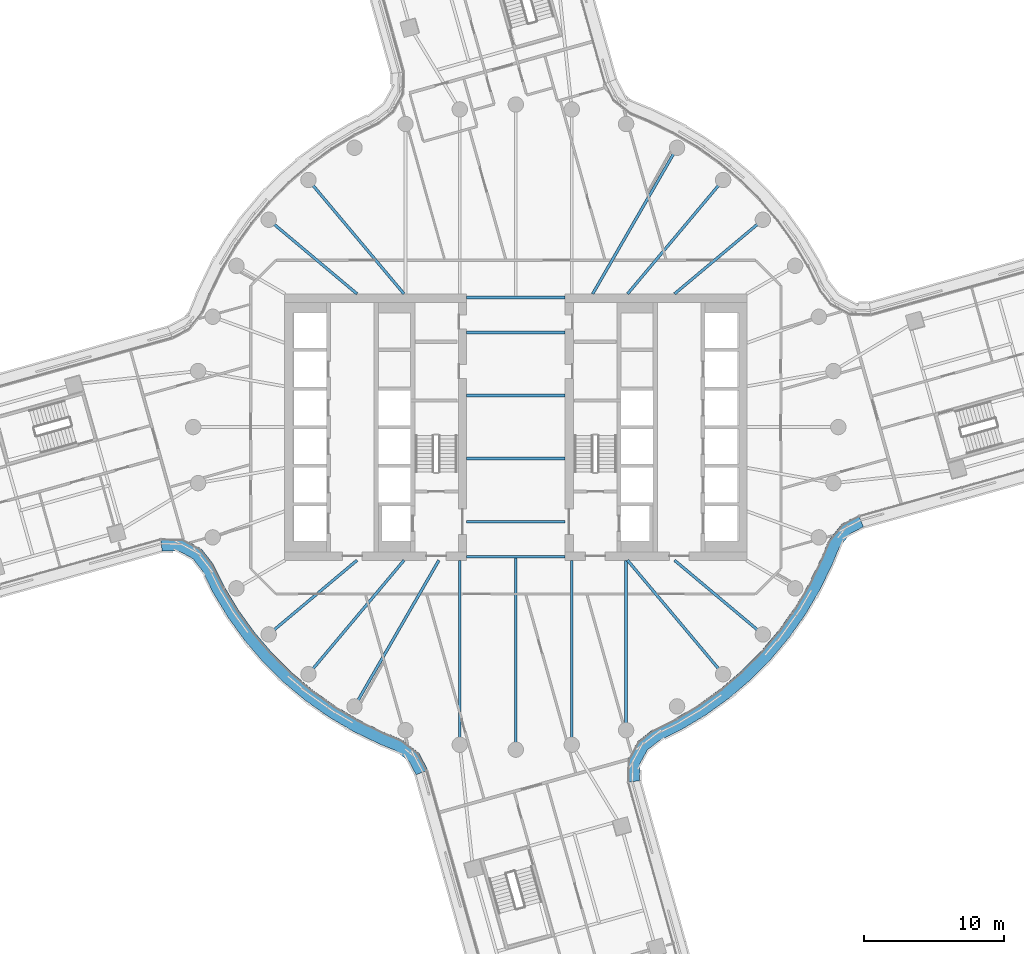
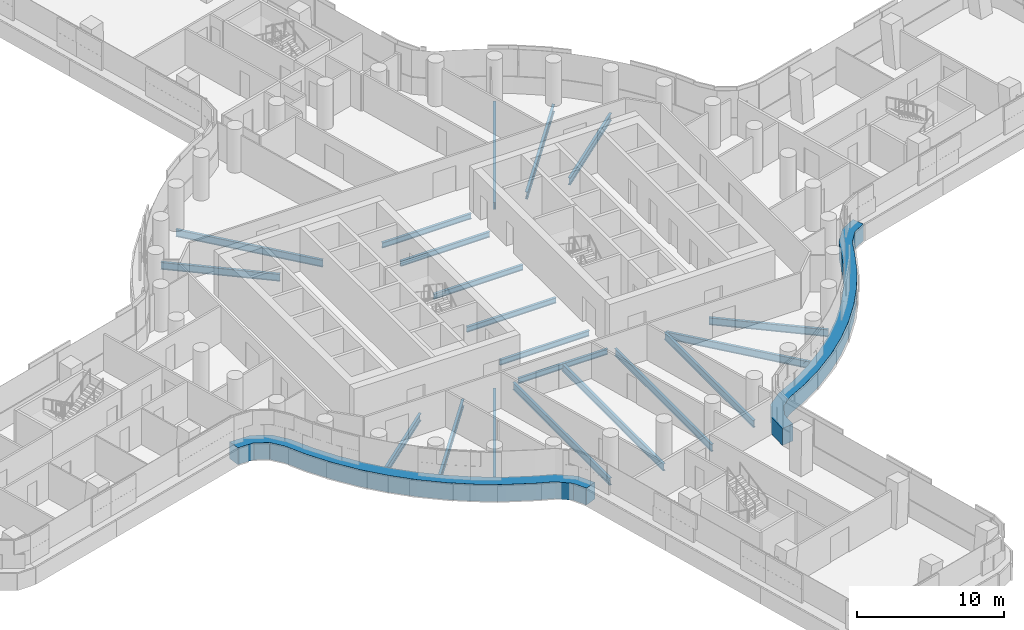
# One storey, part 8 of 30: 20 beams, 2 members, 2 elements without a shape of their own.
"""IFC4 building model written with IfcOpenShell, lengths in metres."""

import ifcopenshell
import ifcopenshell.guid

model = None  # the IFC model being written
_history = None  # IfcOwnerHistory: only IFC2X3 demands one
_inside = {}  # id of a spatial element -> (the spatial element, [elements in it])
_under = {}  # id of a project, library or spatial element -> (it, [spatial elements below it])
_declared = {}  # id of a project -> (the project, [libraries it declares])
_typed = {}  # id of a type object -> (the type object, [elements of that type])
_made_of = {}  # id of a material, layer set ... -> (it, [elements and type objects made of it])


def new_model(schema):
    """Start an empty IFC model of exactly this schema.

    Asked for "IFC4X3", IfcOpenShell would pick the latest addendum, in which some entities
    have other attributes; the version numbers below select the first issue.
    IFC2X3 requires an IfcOwnerHistory on every rooted entity: one is made here for all.
    """
    global model, _history
    if schema == "IFC4X3":
        model = ifcopenshell.file(schema_version=(4, 3, 0, 0))
    else:
        model = ifcopenshell.file(schema=schema)
    _inside.clear()
    _under.clear()
    _declared.clear()
    _typed.clear()
    _made_of.clear()
    _history = None
    if model.schema == "IFC2X3":
        org = make("IfcOrganization", Name="unknown")
        user = make(
            "IfcPersonAndOrganization",
            ThePerson=make("IfcPerson", FamilyName="unknown"),
            TheOrganization=org,
        )
        app = make(
            "IfcApplication",
            ApplicationDeveloper=org,
            Version="unknown",
            ApplicationFullName="unknown",
            ApplicationIdentifier="unknown",
        )
        _history = make(
            "IfcOwnerHistory",
            OwningUser=user,
            OwningApplication=app,
            ChangeAction="ADDED",
            CreationDate=0,
        )
    return model


def make(cls, **values):
    """One entity of the class cls with the attributes given. An attribute that is None is left unset."""
    return model.create_entity(
        cls, **{name: value for name, value in values.items() if value is not None}
    )


def rooted(cls, **values):
    """An entity with a GlobalId (a new one), such as an element, a storey or a relation."""
    return make(cls, GlobalId=ifcopenshell.guid.new(), OwnerHistory=_history, **values)


def si_unit(unit_type, name, prefix=None):
    """IfcSIUnit, for example si_unit("LENGTHUNIT", "METRE", prefix="MILLI")."""
    return make("IfcSIUnit", UnitType=unit_type, Prefix=prefix, Name=name)


def assignment(units):
    """IfcUnitAssignment: the units of a project."""
    return None if units is None else make("IfcUnitAssignment", Units=units)


def point(xyz):
    """IfcCartesianPoint."""
    return None if xyz is None else make("IfcCartesianPoint", Coordinates=xyz)


def direction(xyz):
    """IfcDirection."""
    return None if xyz is None else make("IfcDirection", DirectionRatios=xyz)


def frame(location, z_axis=None, x_axis=None):
    """IfcAxis2Placement3D, a coordinate frame: its origin and axes. An axis left out is left unset."""
    return make(
        "IfcAxis2Placement3D",
        Location=point(location),
        Axis=direction(z_axis),
        RefDirection=direction(x_axis),
    )


def frame_2d(location, x_axis=None):
    """IfcAxis2Placement2D, a coordinate frame in the plane: its origin and x axis."""
    return make(
        "IfcAxis2Placement2D", Location=point(location), RefDirection=direction(x_axis)
    )


def origin():
    """The frame at (0, 0, 0) with its axes left unset."""
    return frame((0.0, 0.0, 0.0))


def origin_2d():
    """The frame at (0, 0) in the plane with its x axis left unset."""
    return frame_2d((0.0, 0.0))


def place(relative_to, where):
    """IfcLocalPlacement: puts the frame where relative to a parent placement (None: the world)."""
    return make(
        "IfcLocalPlacement", PlacementRelTo=relative_to, RelativePlacement=where
    )


def context(
    kind, dimensions, precision=None, world=None, true_north=None, identifier=None
):
    """IfcGeometricRepresentationContext, for example the 3D "Model" context."""
    return make(
        "IfcGeometricRepresentationContext",
        ContextIdentifier=identifier,
        ContextType=kind,
        CoordinateSpaceDimension=dimensions,
        Precision=precision,
        WorldCoordinateSystem=world,
        TrueNorth=true_north,
    )


def subcontext(parent, identifier, kind, view, scale=None):
    """IfcGeometricRepresentationSubContext, for example "Body" below "Model"."""
    return make(
        "IfcGeometricRepresentationSubContext",
        ContextIdentifier=identifier,
        ContextType=kind,
        ParentContext=parent,
        TargetScale=scale,
        TargetView=view,
    )


def project(units=None, contexts=None):
    """IfcProject with its units and contexts."""
    return rooted(
        "IfcProject",
        Name="project",
        RepresentationContexts=contexts,
        UnitsInContext=assignment(units),
    )


def spatial(cls, under=None, at=None, **own):
    """A site, building, storey or space (cls), placed at a placement, below another one or the project."""
    s = rooted(cls, ObjectPlacement=at, **own)
    if under is not None:
        _under.setdefault(under.id(), (under, []))[1].append(s)
    return s


def polyline(points):
    """IfcPolyline through the points."""
    return make("IfcPolyline", Points=[point(p) for p in points])


def profile(cls, at=None, kind="AREA", **sizes):
    """A parametric profile (cls). Its sizes go by their IFC names, for example OverallWidth=200.0."""
    return make(cls, ProfileType=kind, Position=at, **sizes)


def i_section(**sizes):
    """IfcIShapeProfileDef."""
    return profile("IfcIShapeProfileDef", **sizes)


def outline(outer, holes=None, kind="AREA"):
    """IfcArbitraryClosedProfileDef: a profile drawn as a closed curve; with holes, ...WithVoids."""
    if holes is None:
        return make("IfcArbitraryClosedProfileDef", ProfileType=kind, OuterCurve=outer)
    return make(
        "IfcArbitraryProfileDefWithVoids",
        ProfileType=kind,
        OuterCurve=outer,
        InnerCurves=holes,
    )


def extrude(swept, where, along, depth):
    """IfcExtrudedAreaSolid: the profile swept, set in the frame where, extruded along a direction by depth."""
    return make(
        "IfcExtrudedAreaSolid",
        SweptArea=swept,
        Position=where,
        ExtrudedDirection=direction(along),
        Depth=depth,
    )


def shape(context_of_items, identifier, shape_type, items):
    """IfcShapeRepresentation: the items that make up one representation, for example the "Body"."""
    return make(
        "IfcShapeRepresentation",
        ContextOfItems=context_of_items,
        RepresentationIdentifier=identifier,
        RepresentationType=shape_type,
        Items=items,
    )


def material(Name=None, Category=None):
    """IfcMaterial."""
    return make("IfcMaterial", Name=Name, Category=Category)


def layer(
    of_material, thickness, ventilated=None, Name=None, Category=None, Priority=None
):
    """IfcMaterialLayer: one layer of a wall or slab, of a material (None: an air gap)."""
    return make(
        "IfcMaterialLayer",
        Material=of_material,
        LayerThickness=thickness,
        IsVentilated=ventilated,
        Name=Name,
        Category=Category,
        Priority=Priority,
    )


def layer_set(layers, Name=None):
    """IfcMaterialLayerSet."""
    return make("IfcMaterialLayerSet", MaterialLayers=layers, LayerSetName=Name)


def material_profile(
    of_material, cross_section, Name=None, Category=None, Priority=None
):
    """IfcMaterialProfile: a cross section and its material."""
    return make(
        "IfcMaterialProfile",
        Name=Name,
        Material=of_material,
        Profile=cross_section,
        Priority=Priority,
        Category=Category,
    )


def profile_set(profiles, Name=None, composite=None):
    """IfcMaterialProfileSet."""
    return make(
        "IfcMaterialProfileSet",
        Name=Name,
        MaterialProfiles=profiles,
        CompositeProfile=composite,
    )


def made_of(thing, what):
    """Note that an element or type object is made of a material, layer set ...; save() writes the relation."""
    if what is not None:
        _made_of.setdefault(what.id(), (what, []))[1].append(thing)
    return thing


def type_object(cls, material=None, **own):
    """A type object (cls), such as IfcWallType, which elements share."""
    return made_of(rooted(cls, **own), material)


def element(
    cls,
    number,
    at=None,
    inside=None,
    cuts=None,
    type_object=None,
    material=None,
    context=None,
    identifier="Body",
    shape_type=None,
    held_by="IfcProductDefinitionShape",
    body=None,
    shapes=None,
    **own,
):
    """One element of the class cls, such as IfcWall. Its Tag is "e" and its number.

    at: its placement. inside: the storey or other place that contains it. cuts: it is an
    opening in that element (IfcRelVoidsElement). A single representation is given by context,
    identifier, shape_type and body (its items); several are given by shapes. held_by: the class
    of the entity that holds the representations. save() writes the other relations.
    """
    e = rooted(cls, Tag="e%d" % number, ObjectPlacement=at, **own)
    if body is not None:
        shapes = [shape(context, identifier, shape_type, body)]
    if shapes is not None:
        e.Representation = make(held_by, Representations=shapes)
    if inside is not None:
        _inside.setdefault(inside.id(), (inside, []))[1].append(e)
    if cuts is not None:
        rooted(
            "IfcRelVoidsElement", RelatingBuildingElement=cuts, RelatedOpeningElement=e
        )
    if type_object is not None:
        _typed.setdefault(type_object.id(), (type_object, []))[1].append(e)
    return made_of(e, material)


def aggregate(whole, parts):
    """IfcRelAggregates: a whole, such as a stair, and the parts it consists of."""
    return rooted("IfcRelAggregates", RelatingObject=whole, RelatedObjects=parts)


def save(model, path):
    """Write the relations noted so far, then the file.

    IfcRelAggregates (storeys below a building ...), IfcRelContainedInSpatialStructure (elements
    in a storey), IfcRelDefinesByType, IfcRelAssociatesMaterial and IfcRelDeclares: one each for
    every whole, place, type object, material and project.
    """
    for whole, parts in _under.values():
        aggregate(whole, parts)
    for where, things in _inside.values():
        rooted(
            "IfcRelContainedInSpatialStructure",
            RelatedElements=things,
            RelatingStructure=where,
        )
    for kind, things in _typed.values():
        rooted("IfcRelDefinesByType", RelatedObjects=things, RelatingType=kind)
    for what, things in _made_of.values():
        rooted("IfcRelAssociatesMaterial", RelatedObjects=things, RelatingMaterial=what)
    for by, libraries in _declared.values():
        rooted("IfcRelDeclares", RelatingContext=by, RelatedDefinitions=libraries)
    model.write(path)


model = new_model("IFC4")

# Units and contexts
model_context = context("Model", 3, precision=1e-05, world=origin(), true_north=direction((0.0, 1.0)))
body_context = subcontext(model_context, "Body", "Model", "MODEL_VIEW")
ifc_project = project(units=[si_unit("LENGTHUNIT", "METRE"), si_unit("AREAUNIT", "SQUARE_METRE"), si_unit("VOLUMEUNIT", "CUBIC_METRE"), si_unit("PLANEANGLEUNIT", "RADIAN"), si_unit("MASSUNIT", "GRAM", prefix="KILO")], contexts=[model_context])

# Site, building, storey
site_placement = place(None, origin())
site = spatial("IfcSite", under=ifc_project, at=site_placement, CompositionType="ELEMENT")
building_placement = place(site_placement, origin())
building = spatial("IfcBuilding", under=site, at=building_placement, Name="Tamarind Cross Interchange Tower", CompositionType="ELEMENT")
storey_placement = place(building_placement, frame((0.0, 0.0, 91.0)))
storey = spatial("IfcBuildingStorey", under=building, at=storey_placement, Name="L21", CompositionType="ELEMENT", Elevation=91.0)

# Beams
ifc_material_1 = material(Name="Steel Q355B", Category="steel")
ifc_material_profile_1 = material_profile(ifc_material_1, i_section(OverallWidth=0.198974609375, OverallDepth=0.446044921875, WebThickness=0.008056640625, FlangeThickness=0.011962890625, FilletRadius=0.012939453125, at=origin_2d()), Name="HN 446x199x8x12")
ifc_profile_set_1 = profile_set([ifc_material_profile_1], Name="Steel Q355B")
beam_type_1 = type_object("IfcBeamType", Name="Composite beam HN 446x199x8x12 Q355B", PredefinedType="BEAM", material=ifc_profile_set_1)
for number, where, z_axis, x_axis, name in (
    (1, (-3.5, -2.25, -0.363037109375), (1.0, 0.0, 0.0), (0.0, 1.0, 0.0), "Beam G-2.25"),
    (2, (-3.5, -6.75, -0.363037109375), (1.0, 0.0, 0.0), (0.0, 1.0, 0.0), "Beam G-6.75"),
    (3, (-3.5, -9.25, -0.363037109375), (1.0, 0.0, 0.0), (0.0, 1.0, 0.0), "Beam G-9.25"),
    (4, (-3.5, 2.25, -0.363037109375), (1.0, 0.0, 0.0), (0.0, 1.0, 0.0), "Beam G2.25"),
    (5, (-3.5, 6.75, -0.363037109375), (1.0, 0.0, 0.0), (0.0, 1.0, 0.0), "Beam G6.75"),
    (6, (-3.5, 9.25, -0.363037109375), (1.0, 0.0, 0.0), (0.0, 1.0, 0.0), "Beam G9.25"),
):
    element("IfcBeam", number, at=place(storey_placement, frame(where, z_axis=z_axis, x_axis=x_axis)), inside=storey, type_object=beam_type_1, Name=name, PredefinedType="BEAM", context=body_context, shape_type="SweptSolid", body=[
        extrude(i_section(OverallWidth=0.198974609375, OverallDepth=0.446044921875, WebThickness=0.008056640625, FlangeThickness=0.011962890625, FilletRadius=0.012939453125, at=origin_2d()), origin(), (0.0, 0.0, 1.0), 7.0),
    ])
ifc_material_profile_2 = material_profile(ifc_material_1, i_section(OverallWidth=0.198974609375, OverallDepth=0.595947265625, WebThickness=0.010009765625, FlangeThickness=0.014892578125, FilletRadius=0.012939453125, at=origin_2d()), Name="HN 596x199x10x15")
ifc_profile_set_2 = profile_set([ifc_material_profile_2], Name="Steel Q355B")
beam_type_2 = type_object("IfcBeamType", Name="Composite beam HN 596x199x10x15 Q355B", PredefinedType="BEAM", material=ifc_profile_set_2)
beam_1_placement = place(storey_placement, frame((17.619140625, 14.7841796875, -0.43798828125), z_axis=(-0.766040580814, -0.642792212574, 0.0), x_axis=(0.642792212574, -0.766040580814, 0.0)))
element("IfcBeam", 7, at=beam_1_placement, inside=storey, type_object=beam_type_2, Name="Beam HH04", PredefinedType="BEAM", context=body_context, shape_type="SweptSolid", body=[
    extrude(i_section(OverallWidth=0.198974609375, OverallDepth=0.595947265625, WebThickness=0.010009765625, FlangeThickness=0.014892578125, FilletRadius=0.012939453125, at=origin_2d()), origin(), (0.0, 0.0, 1.0), 8.220703125),
])
beam_2_placement = place(storey_placement, frame((14.7841796875, 17.619140625, -0.43798828125), z_axis=(-0.642786293979, -0.766045547127, 0.0), x_axis=(0.766045547127, -0.642786293979, 0.0)))
element("IfcBeam", 8, at=beam_2_placement, inside=storey, type_object=beam_type_2, Name="Beam HH05", PredefinedType="BEAM", context=body_context, shape_type="SweptSolid", body=[
    extrude(i_section(OverallWidth=0.198974609375, OverallDepth=0.595947265625, WebThickness=0.010009765625, FlangeThickness=0.014892578125, FilletRadius=0.012939453125, at=origin_2d()), origin(), (0.0, 0.0, 1.0), 10.598876953125),
])
beam_3_placement = place(storey_placement, frame((11.5, 19.918701171875, -0.43798828125), z_axis=(-0.499993565836, -0.866029118519, 0.0), x_axis=(0.866029118519, -0.499993565836, 0.0)))
element("IfcBeam", 9, at=beam_3_placement, inside=storey, type_object=beam_type_2, Name="Beam HH06", PredefinedType="BEAM", context=body_context, shape_type="SweptSolid", body=[
    extrude(i_section(OverallWidth=0.198974609375, OverallDepth=0.595947265625, WebThickness=0.010009765625, FlangeThickness=0.014892578125, FilletRadius=0.012939453125, at=origin_2d()), origin(), (0.0, 0.0, 1.0), 12.030517578125),
])
beam_4_placement = place(storey_placement, frame((-14.7841796875, 17.619140625, -0.43798828125), z_axis=(0.642786293979, -0.766045547127, 0.0), x_axis=(0.766045547127, 0.642786293979, 0.0)))
element("IfcBeam", 10, at=beam_4_placement, inside=storey, type_object=beam_type_2, Name="Beam HH13", PredefinedType="BEAM", context=body_context, shape_type="SweptSolid", body=[
    extrude(i_section(OverallWidth=0.198974609375, OverallDepth=0.595947265625, WebThickness=0.010009765625, FlangeThickness=0.014892578125, FilletRadius=0.012939453125, at=origin_2d()), origin(), (0.0, 0.0, 1.0), 10.598876953125),
])
for number, where, z_axis, x_axis, name in (
    (11, (-17.619140625, 14.7841796875, -0.43798828125), (0.766040580814, -0.642792212574, 0.0), (0.642792212574, 0.766040580814, 0.0), "Beam HH14"),
    (12, (-17.619140625, -14.7841796875, -0.43798828125), (0.766040580814, 0.642792212574, 0.0), (-0.642792212574, 0.766040580814, 0.0), "Beam HH22"),
):
    element("IfcBeam", number, at=place(storey_placement, frame(where, z_axis=z_axis, x_axis=x_axis)), inside=storey, type_object=beam_type_2, Name=name, PredefinedType="BEAM", context=body_context, shape_type="SweptSolid", body=[
        extrude(i_section(OverallWidth=0.198974609375, OverallDepth=0.595947265625, WebThickness=0.010009765625, FlangeThickness=0.014892578125, FilletRadius=0.012939453125, at=origin_2d()), origin(), (0.0, 0.0, 1.0), 8.220703125),
    ])
beam_5_placement = place(storey_placement, frame((-14.7841796875, -17.619140625, -0.43798828125), z_axis=(0.642786293979, 0.766045547127, 0.0), x_axis=(-0.766045547127, 0.642786293979, 0.0)))
element("IfcBeam", 13, at=beam_5_placement, inside=storey, type_object=beam_type_2, Name="Beam HH23", PredefinedType="BEAM", context=body_context, shape_type="SweptSolid", body=[
    extrude(i_section(OverallWidth=0.198974609375, OverallDepth=0.595947265625, WebThickness=0.010009765625, FlangeThickness=0.014892578125, FilletRadius=0.012939453125, at=origin_2d()), origin(), (0.0, 0.0, 1.0), 10.598876953125),
])
beam_6_placement = place(storey_placement, frame((-11.5, -19.918701171875, -0.43798828125), z_axis=(0.499993565836, 0.866029118519, 0.0), x_axis=(-0.866029118519, 0.499993565836, 0.0)))
element("IfcBeam", 14, at=beam_6_placement, inside=storey, type_object=beam_type_2, Name="Beam HH24", PredefinedType="BEAM", context=body_context, shape_type="SweptSolid", body=[
    extrude(i_section(OverallWidth=0.198974609375, OverallDepth=0.595947265625, WebThickness=0.010009765625, FlangeThickness=0.014892578125, FilletRadius=0.012939453125, at=origin_2d()), origin(), (0.0, 0.0, 1.0), 12.030517578125),
])
beam_7_placement = place(storey_placement, frame((-3.993896484375, -22.650634765625, -0.43798828125), z_axis=(0.0, 1.0, 0.0), x_axis=(-1.0, 0.0, 0.0)))
element("IfcBeam", 15, at=beam_7_placement, inside=storey, type_object=beam_type_2, Name="Beam HH26", PredefinedType="BEAM", context=body_context, shape_type="SweptSolid", body=[
    extrude(i_section(OverallWidth=0.198974609375, OverallDepth=0.595947265625, WebThickness=0.010009765625, FlangeThickness=0.014892578125, FilletRadius=0.012939453125, at=origin_2d()), origin(), (0.0, 0.0, 1.0), 13.150634765625),
])
beam_8_placement = place(storey_placement, frame((0.0, -23.0, -0.43798828125), z_axis=(0.0, 1.0, 0.0), x_axis=(-1.0, 0.0, 0.0)))
element("IfcBeam", 16, at=beam_8_placement, inside=storey, type_object=beam_type_2, Name="Beam HH27", PredefinedType="BEAM", context=body_context, shape_type="SweptSolid", body=[
    extrude(i_section(OverallWidth=0.198974609375, OverallDepth=0.595947265625, WebThickness=0.010009765625, FlangeThickness=0.014892578125, FilletRadius=0.012939453125, at=origin_2d()), origin(), (0.0, 0.0, 1.0), 13.75),
])
beam_9_placement = place(storey_placement, frame((3.993896484375, -22.650634765625, -0.43798828125), z_axis=(0.0, 1.0, 0.0), x_axis=(-1.0, 0.0, 0.0)))
element("IfcBeam", 17, at=beam_9_placement, inside=storey, type_object=beam_type_2, Name="Beam HH28", PredefinedType="BEAM", context=body_context, shape_type="SweptSolid", body=[
    extrude(i_section(OverallWidth=0.198974609375, OverallDepth=0.595947265625, WebThickness=0.010009765625, FlangeThickness=0.014892578125, FilletRadius=0.012939453125, at=origin_2d()), origin(), (0.0, 0.0, 1.0), 13.150634765625),
])
beam_10_placement = place(storey_placement, frame((7.866455078125, -21.613037109375, -0.43798828125), z_axis=(0.0, 1.0, 0.0), x_axis=(-1.0, 0.0, 0.0)))
element("IfcBeam", 18, at=beam_10_placement, inside=storey, type_object=beam_type_2, Name="Beam HH29", PredefinedType="BEAM", context=body_context, shape_type="SweptSolid", body=[
    extrude(i_section(OverallWidth=0.198974609375, OverallDepth=0.595947265625, WebThickness=0.010009765625, FlangeThickness=0.014892578125, FilletRadius=0.012939453125, at=origin_2d()), origin(), (0.0, 0.0, 1.0), 12.113037109375),
])
beam_11_placement = place(storey_placement, frame((14.7841796875, -17.619140625, -0.43798828125), z_axis=(-0.642786293979, 0.766045547127, 0.0), x_axis=(-0.766045547127, -0.642786293979, 0.0)))
element("IfcBeam", 19, at=beam_11_placement, inside=storey, type_object=beam_type_2, Name="Beam HH31", PredefinedType="BEAM", context=body_context, shape_type="SweptSolid", body=[
    extrude(i_section(OverallWidth=0.198974609375, OverallDepth=0.595947265625, WebThickness=0.010009765625, FlangeThickness=0.014892578125, FilletRadius=0.012939453125, at=origin_2d()), origin(), (0.0, 0.0, 1.0), 10.598876953125),
])
beam_12_placement = place(storey_placement, frame((17.619140625, -14.7841796875, -0.43798828125), z_axis=(-0.766040580814, 0.642792212574, 0.0), x_axis=(-0.642792212574, -0.766040580814, 0.0)))
element("IfcBeam", 20, at=beam_12_placement, inside=storey, type_object=beam_type_2, Name="Beam HH32", PredefinedType="BEAM", context=body_context, shape_type="SweptSolid", body=[
    extrude(i_section(OverallWidth=0.198974609375, OverallDepth=0.595947265625, WebThickness=0.010009765625, FlangeThickness=0.014892578125, FilletRadius=0.012939453125, at=origin_2d()), origin(), (0.0, 0.0, 1.0), 8.220703125),
])

# Curtain wall, member
ifc_material_2 = material(Name="Aluminium 6063-T6", Category="aluminium")
ifc_layer = layer(ifc_material_2, 0.159912109375)
ifc_layer_set = layer_set([ifc_layer], Name="Aluminium 6063-T6")
curtain_wall_type = type_object("IfcCurtainWallType", Name="Office curtain wall, 9.0 m bays", PredefinedType="NOTDEFINED", material=ifc_layer_set)
curtain_wall_1_placement = place(storey_placement, origin())
curtain_wall_1 = element("IfcCurtainWall", 21, at=curtain_wall_1_placement, inside=storey, type_object=curtain_wall_type, Name="CWS-L21-02", PredefinedType="NOTDEFINED")
ifc_material_3 = material(Name="Aluminium and insulated spandrel panel", Category="aluminium")
member_type = type_object("IfcMemberType", Name="Floor-edge blade transom", PredefinedType="USERDEFINED", material=ifc_material_3)
member_1_placement = place(storey_placement, origin())
member_1 = element("IfcMember", 22, at=member_1_placement, type_object=member_type, Name="CWT-L21-02", ObjectType="TRANSOM", PredefinedType="USERDEFINED", context=body_context, shape_type="SweptSolid", body=[
    extrude(outline(polyline([(7.920166015625, -25.32861328125), (7.9658203125, -23.739013671875), (8.677734375, -22.4296875), (9.740478515625, -21.595947265625), (11.367431640625, -20.791015625), (13.045654296875, -19.78125), (14.634521484375, -18.636474609375), (16.12353515625, -17.3642578125), (17.50244140625, -15.973388671875), (18.76171875, -14.4736328125), (19.892822265625, -12.874755859375), (20.88818359375, -11.188232421875), (21.7421875, -9.421875), (22.275390625, -8.130126953125), (23.25927734375, -6.89794921875), (24.455078125, -6.27001953125), (24.78955078125, -7.11083984375), (23.844970703125, -7.607177734375), (23.058349609375, -8.591796875), (22.56396484375, -9.789794921875), (21.68212890625, -11.613525390625), (20.64892578125, -13.3642578125), (19.474853515625, -15.023681640625), (18.167724609375, -16.580810546875), (16.736572265625, -18.0244140625), (15.19091796875, -19.344970703125), (13.54150390625, -20.533203125), (11.7998046875, -21.581298828125), (10.222900390625, -22.361328125), (9.379638671875, -23.02294921875), (8.859375, -23.97998046875), (8.82373046875, -25.218017578125), (7.920166015625, -25.32861328125)])), origin(), (0.0, 0.0, 1.0), 1.39990234375),
])
aggregate(curtain_wall_1, [member_1])

curtain_wall_2_placement = place(storey_placement, origin())
curtain_wall_2 = element("IfcCurtainWall", 23, at=curtain_wall_2_placement, inside=storey, type_object=curtain_wall_type, Name="CWS-L21-14", PredefinedType="NOTDEFINED")
member_2_placement = place(storey_placement, origin())
member_2 = element("IfcMember", 24, at=member_2_placement, type_object=member_type, Name="CWT-L21-14", ObjectType="TRANSOM", PredefinedType="USERDEFINED", context=body_context, shape_type="SweptSolid", body=[
    extrude(outline(polyline([(-25.32861328125, -7.920166015625), (-23.739013671875, -7.9658203125), (-22.4296875, -8.677734375), (-21.595947265625, -9.740478515625), (-20.791015625, -11.367431640625), (-19.78125, -13.045654296875), (-18.636474609375, -14.634521484375), (-17.3642578125, -16.12353515625), (-15.973388671875, -17.50244140625), (-14.4736328125, -18.76171875), (-12.874755859375, -19.892822265625), (-11.188232421875, -20.88818359375), (-9.421875, -21.7421875), (-8.130126953125, -22.275390625), (-6.89794921875, -23.25927734375), (-6.27001953125, -24.455078125), (-7.11083984375, -24.78955078125), (-7.607177734375, -23.844970703125), (-8.591796875, -23.058349609375), (-9.789794921875, -22.56396484375), (-11.613525390625, -21.68212890625), (-13.3642578125, -20.64892578125), (-15.023681640625, -19.474853515625), (-16.580810546875, -18.167724609375), (-18.0244140625, -16.736572265625), (-19.344970703125, -15.19091796875), (-20.533203125, -13.54150390625), (-21.581298828125, -11.7998046875), (-22.361328125, -10.222900390625), (-23.02294921875, -9.379638671875), (-23.97998046875, -8.859375), (-25.218017578125, -8.82373046875), (-25.32861328125, -7.920166015625)])), origin(), (0.0, 0.0, 1.0), 1.39990234375),
])
aggregate(curtain_wall_2, [member_2])

save(model, "model.ifc")
